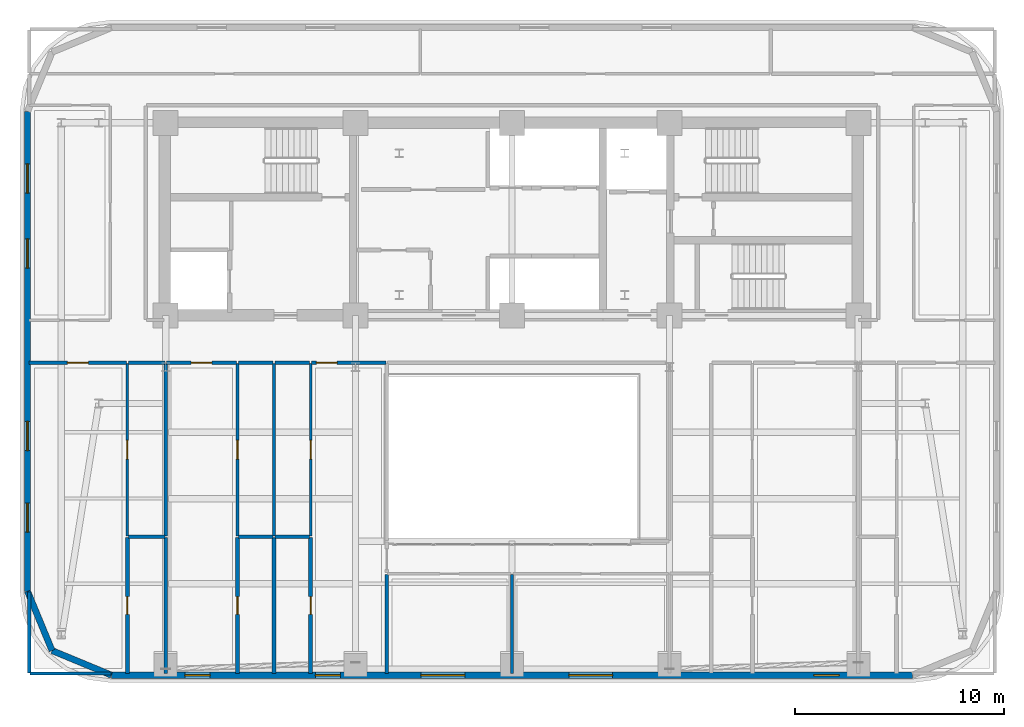
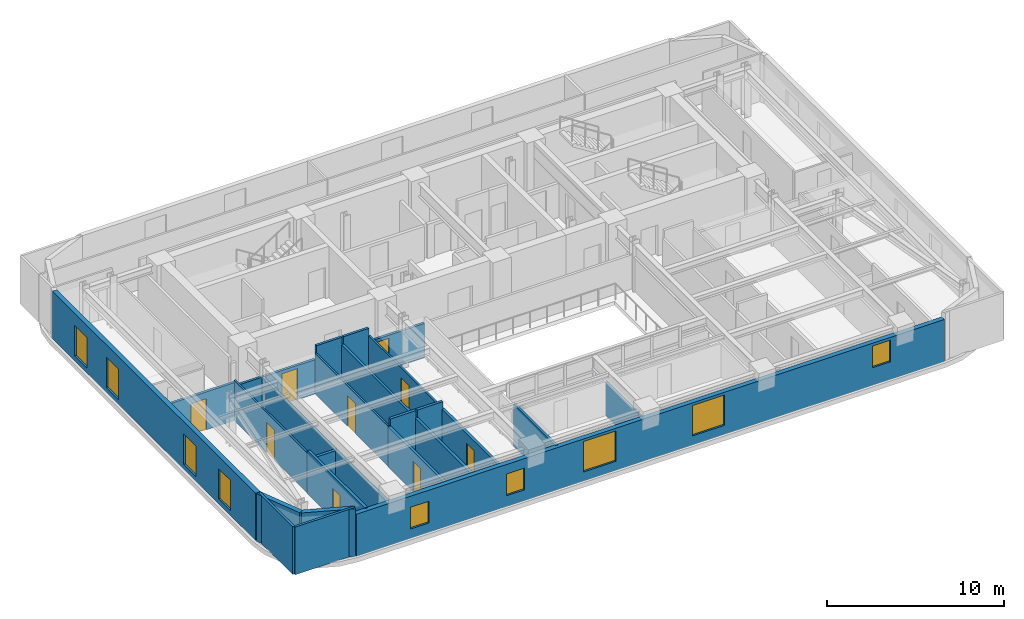
# One storey, part 5 of 12: 27 walls, 9 doors, 9 windows, 18 openings.
"""IFC4 building model written with IfcOpenShell, lengths in metres."""

import ifcopenshell
import ifcopenshell.guid

model = None  # the IFC model being written
_history = None  # IfcOwnerHistory: only IFC2X3 demands one
_inside = {}  # id of a spatial element -> (the spatial element, [elements in it])
_under = {}  # id of a project, library or spatial element -> (it, [spatial elements below it])
_declared = {}  # id of a project -> (the project, [libraries it declares])
_typed = {}  # id of a type object -> (the type object, [elements of that type])
_made_of = {}  # id of a material, layer set ... -> (it, [elements and type objects made of it])


def new_model(schema):
    """Start an empty IFC model of exactly this schema.

    Asked for "IFC4X3", IfcOpenShell would pick the latest addendum, in which some entities
    have other attributes; the version numbers below select the first issue.
    IFC2X3 requires an IfcOwnerHistory on every rooted entity: one is made here for all.
    """
    global model, _history
    if schema == "IFC4X3":
        model = ifcopenshell.file(schema_version=(4, 3, 0, 0))
    else:
        model = ifcopenshell.file(schema=schema)
    _inside.clear()
    _under.clear()
    _declared.clear()
    _typed.clear()
    _made_of.clear()
    _history = None
    if model.schema == "IFC2X3":
        org = make("IfcOrganization", Name="unknown")
        user = make(
            "IfcPersonAndOrganization",
            ThePerson=make("IfcPerson", FamilyName="unknown"),
            TheOrganization=org,
        )
        app = make(
            "IfcApplication",
            ApplicationDeveloper=org,
            Version="unknown",
            ApplicationFullName="unknown",
            ApplicationIdentifier="unknown",
        )
        _history = make(
            "IfcOwnerHistory",
            OwningUser=user,
            OwningApplication=app,
            ChangeAction="ADDED",
            CreationDate=0,
        )
    return model


def make(cls, **values):
    """One entity of the class cls with the attributes given. An attribute that is None is left unset."""
    return model.create_entity(
        cls, **{name: value for name, value in values.items() if value is not None}
    )


def rooted(cls, **values):
    """An entity with a GlobalId (a new one), such as an element, a storey or a relation."""
    return make(cls, GlobalId=ifcopenshell.guid.new(), OwnerHistory=_history, **values)


def si_unit(unit_type, name, prefix=None):
    """IfcSIUnit, for example si_unit("LENGTHUNIT", "METRE", prefix="MILLI")."""
    return make("IfcSIUnit", UnitType=unit_type, Prefix=prefix, Name=name)


def assignment(units):
    """IfcUnitAssignment: the units of a project."""
    return None if units is None else make("IfcUnitAssignment", Units=units)


def point(xyz):
    """IfcCartesianPoint."""
    return None if xyz is None else make("IfcCartesianPoint", Coordinates=xyz)


def direction(xyz):
    """IfcDirection."""
    return None if xyz is None else make("IfcDirection", DirectionRatios=xyz)


def frame(location, z_axis=None, x_axis=None):
    """IfcAxis2Placement3D, a coordinate frame: its origin and axes. An axis left out is left unset."""
    return make(
        "IfcAxis2Placement3D",
        Location=point(location),
        Axis=direction(z_axis),
        RefDirection=direction(x_axis),
    )


def frame_2d(location, x_axis=None):
    """IfcAxis2Placement2D, a coordinate frame in the plane: its origin and x axis."""
    return make(
        "IfcAxis2Placement2D", Location=point(location), RefDirection=direction(x_axis)
    )


def origin():
    """The frame at (0, 0, 0) with its axes left unset."""
    return frame((0.0, 0.0, 0.0))


def place(relative_to, where):
    """IfcLocalPlacement: puts the frame where relative to a parent placement (None: the world)."""
    return make(
        "IfcLocalPlacement", PlacementRelTo=relative_to, RelativePlacement=where
    )


def context(
    kind, dimensions, precision=None, world=None, true_north=None, identifier=None
):
    """IfcGeometricRepresentationContext, for example the 3D "Model" context."""
    return make(
        "IfcGeometricRepresentationContext",
        ContextIdentifier=identifier,
        ContextType=kind,
        CoordinateSpaceDimension=dimensions,
        Precision=precision,
        WorldCoordinateSystem=world,
        TrueNorth=true_north,
    )


def subcontext(parent, identifier, kind, view, scale=None):
    """IfcGeometricRepresentationSubContext, for example "Body" below "Model"."""
    return make(
        "IfcGeometricRepresentationSubContext",
        ContextIdentifier=identifier,
        ContextType=kind,
        ParentContext=parent,
        TargetScale=scale,
        TargetView=view,
    )


def project(units=None, contexts=None):
    """IfcProject with its units and contexts."""
    return rooted(
        "IfcProject",
        Name="project",
        RepresentationContexts=contexts,
        UnitsInContext=assignment(units),
    )


def spatial(cls, under=None, at=None, **own):
    """A site, building, storey or space (cls), placed at a placement, below another one or the project."""
    s = rooted(cls, ObjectPlacement=at, **own)
    if under is not None:
        _under.setdefault(under.id(), (under, []))[1].append(s)
    return s


def profile(cls, at=None, kind="AREA", **sizes):
    """A parametric profile (cls). Its sizes go by their IFC names, for example OverallWidth=200.0."""
    return make(cls, ProfileType=kind, Position=at, **sizes)


def rectangle(**sizes):
    """IfcRectangleProfileDef."""
    return profile("IfcRectangleProfileDef", **sizes)


def extrude(swept, where, along, depth):
    """IfcExtrudedAreaSolid: the profile swept, set in the frame where, extruded along a direction by depth."""
    return make(
        "IfcExtrudedAreaSolid",
        SweptArea=swept,
        Position=where,
        ExtrudedDirection=direction(along),
        Depth=depth,
    )


def shape(context_of_items, identifier, shape_type, items):
    """IfcShapeRepresentation: the items that make up one representation, for example the "Body"."""
    return make(
        "IfcShapeRepresentation",
        ContextOfItems=context_of_items,
        RepresentationIdentifier=identifier,
        RepresentationType=shape_type,
        Items=items,
    )


def material(Name=None, Category=None):
    """IfcMaterial."""
    return make("IfcMaterial", Name=Name, Category=Category)


def layer(
    of_material, thickness, ventilated=None, Name=None, Category=None, Priority=None
):
    """IfcMaterialLayer: one layer of a wall or slab, of a material (None: an air gap)."""
    return make(
        "IfcMaterialLayer",
        Material=of_material,
        LayerThickness=thickness,
        IsVentilated=ventilated,
        Name=Name,
        Category=Category,
        Priority=Priority,
    )


def layer_set(layers, Name=None):
    """IfcMaterialLayerSet."""
    return make("IfcMaterialLayerSet", MaterialLayers=layers, LayerSetName=Name)


def made_of(thing, what):
    """Note that an element or type object is made of a material, layer set ...; save() writes the relation."""
    if what is not None:
        _made_of.setdefault(what.id(), (what, []))[1].append(thing)
    return thing


def type_object(cls, material=None, **own):
    """A type object (cls), such as IfcWallType, which elements share."""
    return made_of(rooted(cls, **own), material)


def element(
    cls,
    number,
    at=None,
    inside=None,
    cuts=None,
    type_object=None,
    material=None,
    context=None,
    identifier="Body",
    shape_type=None,
    held_by="IfcProductDefinitionShape",
    body=None,
    shapes=None,
    **own,
):
    """One element of the class cls, such as IfcWall. Its Tag is "e" and its number.

    at: its placement. inside: the storey or other place that contains it. cuts: it is an
    opening in that element (IfcRelVoidsElement). A single representation is given by context,
    identifier, shape_type and body (its items); several are given by shapes. held_by: the class
    of the entity that holds the representations. save() writes the other relations.
    """
    e = rooted(cls, Tag="e%d" % number, ObjectPlacement=at, **own)
    if body is not None:
        shapes = [shape(context, identifier, shape_type, body)]
    if shapes is not None:
        e.Representation = make(held_by, Representations=shapes)
    if inside is not None:
        _inside.setdefault(inside.id(), (inside, []))[1].append(e)
    if cuts is not None:
        rooted(
            "IfcRelVoidsElement", RelatingBuildingElement=cuts, RelatedOpeningElement=e
        )
    if type_object is not None:
        _typed.setdefault(type_object.id(), (type_object, []))[1].append(e)
    return made_of(e, material)


def fill(opening, filler):
    """IfcRelFillsElement: the door or window that sits in an opening."""
    return rooted(
        "IfcRelFillsElement",
        RelatingOpeningElement=opening,
        RelatedBuildingElement=filler,
    )


def aggregate(whole, parts):
    """IfcRelAggregates: a whole, such as a stair, and the parts it consists of."""
    return rooted("IfcRelAggregates", RelatingObject=whole, RelatedObjects=parts)


def save(model, path):
    """Write the relations noted so far, then the file.

    IfcRelAggregates (storeys below a building ...), IfcRelContainedInSpatialStructure (elements
    in a storey), IfcRelDefinesByType, IfcRelAssociatesMaterial and IfcRelDeclares: one each for
    every whole, place, type object, material and project.
    """
    for whole, parts in _under.values():
        aggregate(whole, parts)
    for where, things in _inside.values():
        rooted(
            "IfcRelContainedInSpatialStructure",
            RelatedElements=things,
            RelatingStructure=where,
        )
    for kind, things in _typed.values():
        rooted("IfcRelDefinesByType", RelatedObjects=things, RelatingType=kind)
    for what, things in _made_of.values():
        rooted("IfcRelAssociatesMaterial", RelatedObjects=things, RelatingMaterial=what)
    for by, libraries in _declared.values():
        rooted("IfcRelDeclares", RelatingContext=by, RelatedDefinitions=libraries)
    model.write(path)


model = new_model("IFC4")

# Units and contexts
model_context = context("Model", 3, precision=1e-05, world=origin(), true_north=direction((0.0, 1.0)))
body_context = subcontext(model_context, "Body", "Model", "MODEL_VIEW")
ifc_project = project(units=[si_unit("LENGTHUNIT", "METRE"), si_unit("AREAUNIT", "SQUARE_METRE"), si_unit("VOLUMEUNIT", "CUBIC_METRE"), si_unit("PLANEANGLEUNIT", "RADIAN"), si_unit("MASSUNIT", "GRAM", prefix="KILO")], contexts=[model_context])

# Site, building, storey
site_placement = place(None, origin())
site = spatial("IfcSite", under=ifc_project, at=site_placement, CompositionType="ELEMENT")
building_placement = place(site_placement, origin())
building = spatial("IfcBuilding", under=site, at=building_placement, Name="Zarnavel Station Tower", CompositionType="ELEMENT")
storey_placement = place(building_placement, frame((0.0, 0.0, 166.10009765625)))
storey = spatial("IfcBuildingStorey", under=building, at=storey_placement, Name="L45", CompositionType="ELEMENT", Elevation=166.10009765625)

# Wall, openings, windows
ifc_material_1 = material(Name="Precast concrete C45/55 (Dark Basalt Finish)", Category="masonry")
ifc_layer_1 = layer(ifc_material_1, 0.300048828125)
ifc_layer_set_1 = layer_set([ifc_layer_1], Name="EW_BASALT_300")
wall_type_1 = type_object("IfcWallType", Name="EW_BASALT_300", PredefinedType="SOLIDWALL", material=ifc_layer_set_1)
wall_1_placement = place(storey_placement, frame((5.580078125, 14.60009765625, 0.0), z_axis=(0.0, 0.0, 1.0), x_axis=(0.0, 1.0, 0.0)))
wall_1 = element("IfcWall", 1, at=wall_1_placement, inside=storey, type_object=wall_type_1, Name="L45 Exterior Basalt Masonry Frame Wall 09", PredefinedType="SOLIDWALL", context=body_context, shape_type="SweptSolid", body=[
    extrude(rectangle(XDim=23.0, YDim=0.300048828125, at=frame_2d((11.5, 0.0))), origin(), (0.0, 0.0, 1.0), 3.289794921875),
])
opening_1_placement = place(wall_1_placement, frame((15.493408203125, 0.0, 0.340087890625)))
opening_1 = element("IfcOpeningElement", 2, at=opening_1_placement, cuts=wall_1, Name="Opening WN04", PredefinedType="OPENING", context=body_context, shape_type="SweptSolid", body=[
    extrude(rectangle(XDim=1.39990234375, YDim=2.10009765625, at=frame_2d((0.699951171875, 1.050048828125))), frame((0.0, 0.159912109375, 0.0), z_axis=(0.0, -1.0, 0.0), x_axis=(1.0, 0.0, 0.0)), (0.0, 0.0, 1.0), 0.320068359375),
])
opening_2_placement = place(wall_1_placement, frame((19.086669921875, 0.0, 0.340087890625)))
opening_2 = element("IfcOpeningElement", 3, at=opening_2_placement, cuts=wall_1, Name="Opening WN04", PredefinedType="OPENING", context=body_context, shape_type="SweptSolid", body=[
    extrude(rectangle(XDim=1.39990234375, YDim=2.10009765625, at=frame_2d((0.699951171875, 1.050048828125))), frame((0.0, 0.159912109375, 0.0), z_axis=(0.0, -1.0, 0.0), x_axis=(1.0, 0.0, 0.0)), (0.0, 0.0, 1.0), 0.320068359375),
])
opening_3_placement = place(wall_1_placement, frame((2.830078125, 0.0, 0.340087890625)))
opening_3 = element("IfcOpeningElement", 4, at=opening_3_placement, cuts=wall_1, Name="Opening WN04", PredefinedType="OPENING", context=body_context, shape_type="SweptSolid", body=[
    extrude(rectangle(XDim=1.39990234375, YDim=2.10009765625, at=frame_2d((0.699951171875, 1.050048828125))), frame((0.0, 0.159912109375, 0.0), z_axis=(0.0, -1.0, 0.0), x_axis=(1.0, 0.0, 0.0)), (0.0, 0.0, 1.0), 0.320068359375),
])
opening_4_placement = place(wall_1_placement, frame((6.739990234375, 0.0, 0.340087890625)))
opening_4 = element("IfcOpeningElement", 5, at=opening_4_placement, cuts=wall_1, Name="Opening WN04", PredefinedType="OPENING", context=body_context, shape_type="SweptSolid", body=[
    extrude(rectangle(XDim=1.39990234375, YDim=2.10009765625, at=frame_2d((0.699951171875, 1.050048828125))), frame((0.0, 0.159912109375, 0.0), z_axis=(0.0, -1.0, 0.0), x_axis=(1.0, 0.0, 0.0)), (0.0, 0.0, 1.0), 0.320068359375),
])
ifc_material_2 = material(Name="Thermally Broken Black Aluminium and Low-E Dark Glass", Category="aluminium")
window_type_1 = type_object("IfcWindowType", Name="WN_1400x2100", PartitioningType="DOUBLE_PANEL_VERTICAL", PredefinedType="WINDOW", material=ifc_material_2)
window_1_placement = place(opening_1_placement, origin())
window_1 = element("IfcWindow", 6, at=window_1_placement, inside=storey, type_object=window_type_1, Name="L45 Recessed Facade Window 01", OverallHeight=2.10009765625, OverallWidth=1.39990234375, PartitioningType="SINGLE_PANEL", PredefinedType="WINDOW", context=body_context, shape_type="SweptSolid", body=[
    extrude(rectangle(XDim=1.39990234375, YDim=2.10009765625, at=frame_2d((0.699951171875, 1.050048828125))), frame((0.0, 0.030029296875, 0.0), z_axis=(0.0, -1.0, 0.0), x_axis=(1.0, 0.0, 0.0)), (0.0, 0.0, 1.0), 0.06005859375),
])
fill(opening_1, window_1)
window_2_placement = place(opening_2_placement, origin())
window_2 = element("IfcWindow", 7, at=window_2_placement, inside=storey, type_object=window_type_1, Name="L45 Recessed Facade Window 02", OverallHeight=2.10009765625, OverallWidth=1.39990234375, PartitioningType="SINGLE_PANEL", PredefinedType="WINDOW", context=body_context, shape_type="SweptSolid", body=[
    extrude(rectangle(XDim=1.39990234375, YDim=2.10009765625, at=frame_2d((0.699951171875, 1.050048828125))), frame((0.0, 0.030029296875, 0.0), z_axis=(0.0, -1.0, 0.0), x_axis=(1.0, 0.0, 0.0)), (0.0, 0.0, 1.0), 0.06005859375),
])
fill(opening_2, window_2)
window_3_placement = place(opening_3_placement, origin())
window_3 = element("IfcWindow", 8, at=window_3_placement, inside=storey, type_object=window_type_1, Name="L45 Recessed Facade Window 03", OverallHeight=2.10009765625, OverallWidth=1.39990234375, PartitioningType="SINGLE_PANEL", PredefinedType="WINDOW", context=body_context, shape_type="SweptSolid", body=[
    extrude(rectangle(XDim=1.39990234375, YDim=2.10009765625, at=frame_2d((0.699951171875, 1.050048828125))), frame((0.0, 0.030029296875, 0.0), z_axis=(0.0, -1.0, 0.0), x_axis=(1.0, 0.0, 0.0)), (0.0, 0.0, 1.0), 0.06005859375),
])
fill(opening_3, window_3)
window_4_placement = place(opening_4_placement, origin())
window_4 = element("IfcWindow", 9, at=window_4_placement, inside=storey, type_object=window_type_1, Name="L45 Recessed Facade Window 04", OverallHeight=2.10009765625, OverallWidth=1.39990234375, PartitioningType="SINGLE_PANEL", PredefinedType="WINDOW", context=body_context, shape_type="SweptSolid", body=[
    extrude(rectangle(XDim=1.39990234375, YDim=2.10009765625, at=frame_2d((0.699951171875, 1.050048828125))), frame((0.0, 0.030029296875, 0.0), z_axis=(0.0, -1.0, 0.0), x_axis=(1.0, 0.0, 0.0)), (0.0, 0.0, 1.0), 0.06005859375),
])
fill(opening_4, window_4)

# Walls
for number, where, z_axis, x_axis, name in (
    (10, (6.75732421875, 11.75732421875, 0.0), (0.0, 0.0, 1.0), (-0.382608747773, 0.923910464346, 0.0), "L45 Exterior Basalt Masonry Frame Wall 10"),
    (11, (9.60009765625, 10.580078125, 0.0), (0.0, 0.0, 1.0), (-0.923910464346, 0.382608747773, 0.0), "L45 Exterior Basalt Masonry Frame Wall 11"),
):
    element("IfcWall", number, at=place(storey_placement, frame(where, z_axis=z_axis, x_axis=x_axis)), inside=storey, type_object=wall_type_1, Name=name, PredefinedType="SOLIDWALL", context=body_context, shape_type="SweptSolid", body=[
        extrude(rectangle(XDim=3.076904296875, YDim=0.300048828125, at=frame_2d((1.53857421875, 0.0))), origin(), (0.0, 0.0, 1.0), 3.289794921875),
    ])

# Wall, openings, windows
wall_2_placement = place(storey_placement, frame((48.0, 10.580078125, 0.0), z_axis=(0.0, 0.0, 1.0), x_axis=(-1.0, 0.0, 0.0)))
wall_2 = element("IfcWall", 12, at=wall_2_placement, inside=storey, type_object=wall_type_1, Name="L45 Exterior Basalt Masonry Frame Wall 12", PredefinedType="SOLIDWALL", context=body_context, shape_type="SweptSolid", body=[
    extrude(rectangle(XDim=38.39990234375, YDim=0.300048828125, at=frame_2d((19.199951171875, 0.0))), origin(), (0.0, 0.0, 1.0), 2.909912109375),
])
opening_5_placement = place(wall_2_placement, frame((33.67333984375, 0.0, 0.64990234375)))
opening_5 = element("IfcOpeningElement", 13, at=opening_5_placement, cuts=wall_2, Name="Opening WN08", PredefinedType="OPENING", context=body_context, shape_type="SweptSolid", body=[
    extrude(rectangle(XDim=1.199951171875, YDim=1.5, at=frame_2d((0.60009765625, 0.75))), frame((0.0, 0.159912109375, 0.0), z_axis=(0.0, -1.0, 0.0), x_axis=(1.0, 0.0, 0.0)), (0.0, 0.0, 1.0), 0.320068359375),
])
opening_6_placement = place(wall_2_placement, frame((21.46337890625, 0.0, 0.6298828125)))
opening_6 = element("IfcOpeningElement", 14, at=opening_6_placement, cuts=wall_2, Name="Opening WN05", PredefinedType="OPENING", context=body_context, shape_type="SweptSolid", body=[
    extrude(rectangle(XDim=2.10009765625, YDim=2.10009765625, at=frame_2d((1.050048828125, 1.050048828125))), frame((0.0, 0.159912109375, 0.0), z_axis=(0.0, -1.0, 0.0), x_axis=(1.0, 0.0, 0.0)), (0.0, 0.0, 1.0), 0.320068359375),
])
opening_7_placement = place(wall_2_placement, frame((14.375, 0.0, 0.6298828125)))
opening_7 = element("IfcOpeningElement", 15, at=opening_7_placement, cuts=wall_2, Name="Opening WN05", PredefinedType="OPENING", context=body_context, shape_type="SweptSolid", body=[
    extrude(rectangle(XDim=2.10009765625, YDim=2.10009765625, at=frame_2d((1.050048828125, 1.050048828125))), frame((0.0, 0.159912109375, 0.0), z_axis=(0.0, -1.0, 0.0), x_axis=(1.0, 0.0, 0.0)), (0.0, 0.0, 1.0), 0.320068359375),
])
opening_8_placement = place(wall_2_placement, frame((3.526611328125, 0.0, 1.219970703125)))
opening_8 = element("IfcOpeningElement", 16, at=opening_8_placement, cuts=wall_2, Name="Opening WN08", PredefinedType="OPENING", context=body_context, shape_type="SweptSolid", body=[
    extrude(rectangle(XDim=1.199951171875, YDim=1.5, at=frame_2d((0.60009765625, 0.75))), frame((0.0, 0.159912109375, 0.0), z_axis=(0.0, -1.0, 0.0), x_axis=(1.0, 0.0, 0.0)), (0.0, 0.0, 1.0), 0.320068359375),
])
opening_9_placement = place(wall_2_placement, frame((27.419921875, 0.0, 0.75)))
opening_9 = element("IfcOpeningElement", 17, at=opening_9_placement, cuts=wall_2, Name="Opening WN08", PredefinedType="OPENING", context=body_context, shape_type="SweptSolid", body=[
    extrude(rectangle(XDim=1.199951171875, YDim=1.5, at=frame_2d((0.60009765625, 0.75))), frame((0.0, 0.159912109375, 0.0), z_axis=(0.0, -1.0, 0.0), x_axis=(1.0, 0.0, 0.0)), (0.0, 0.0, 1.0), 0.320068359375),
])
ifc_material_3 = material(Name="Thermally Broken Black Aluminium and Low-E Dark Glass", Category="aluminium")
window_type_2 = type_object("IfcWindowType", Name="WN_1200x1500", PartitioningType="SINGLE_PANEL", PredefinedType="WINDOW", material=ifc_material_3)
window_5_placement = place(opening_5_placement, origin())
window_5 = element("IfcWindow", 18, at=window_5_placement, inside=storey, type_object=window_type_2, Name="L45 Recessed Facade Window 01", OverallHeight=1.5, OverallWidth=1.199951171875, PartitioningType="SINGLE_PANEL", PredefinedType="WINDOW", context=body_context, shape_type="SweptSolid", body=[
    extrude(rectangle(XDim=1.199951171875, YDim=1.5, at=frame_2d((0.60009765625, 0.75))), frame((0.0, 0.030029296875, 0.0), z_axis=(0.0, -1.0, 0.0), x_axis=(1.0, 0.0, 0.0)), (0.0, 0.0, 1.0), 0.06005859375),
])
fill(opening_5, window_5)
window_6_placement = place(opening_8_placement, origin())
window_6 = element("IfcWindow", 19, at=window_6_placement, inside=storey, type_object=window_type_2, Name="L45 Recessed Facade Window 04", OverallHeight=1.5, OverallWidth=1.199951171875, PartitioningType="SINGLE_PANEL", PredefinedType="WINDOW", context=body_context, shape_type="SweptSolid", body=[
    extrude(rectangle(XDim=1.199951171875, YDim=1.5, at=frame_2d((0.60009765625, 0.75))), frame((0.0, 0.030029296875, 0.0), z_axis=(0.0, -1.0, 0.0), x_axis=(1.0, 0.0, 0.0)), (0.0, 0.0, 1.0), 0.06005859375),
])
fill(opening_8, window_6)
window_7_placement = place(opening_9_placement, origin())
window_7 = element("IfcWindow", 20, at=window_7_placement, inside=storey, type_object=window_type_2, Name="L45 South Guestroom Window HW3R", OverallHeight=1.5, OverallWidth=1.199951171875, PartitioningType="SINGLE_PANEL", PredefinedType="WINDOW", context=body_context, shape_type="SweptSolid", body=[
    extrude(rectangle(XDim=1.199951171875, YDim=1.5, at=frame_2d((0.60009765625, 0.75))), frame((0.0, 0.030029296875, 0.0), z_axis=(0.0, -1.0, 0.0), x_axis=(1.0, 0.0, 0.0)), (0.0, 0.0, 1.0), 0.06005859375),
])
fill(opening_9, window_7)
ifc_material_4 = material(Name="Thermally Broken Black Aluminium and Low-E Dark Glass", Category="aluminium")
window_type_3 = type_object("IfcWindowType", Name="WN_2100x2100", PartitioningType="TRIPLE_PANEL_VERTICAL", PredefinedType="WINDOW", material=ifc_material_4)
window_8_placement = place(opening_6_placement, origin())
window_8 = element("IfcWindow", 21, at=window_8_placement, inside=storey, type_object=window_type_3, Name="L45 Recessed Facade Window 02", OverallHeight=2.10009765625, OverallWidth=2.10009765625, PartitioningType="SINGLE_PANEL", PredefinedType="WINDOW", context=body_context, shape_type="SweptSolid", body=[
    extrude(rectangle(XDim=2.10009765625, YDim=2.10009765625, at=frame_2d((1.050048828125, 1.050048828125))), frame((0.0, 0.030029296875, 0.0), z_axis=(0.0, -1.0, 0.0), x_axis=(1.0, 0.0, 0.0)), (0.0, 0.0, 1.0), 0.06005859375),
])
fill(opening_6, window_8)
window_9_placement = place(opening_7_placement, origin())
window_9 = element("IfcWindow", 22, at=window_9_placement, inside=storey, type_object=window_type_3, Name="L45 Recessed Facade Window 03", OverallHeight=2.10009765625, OverallWidth=2.10009765625, PartitioningType="SINGLE_PANEL", PredefinedType="WINDOW", context=body_context, shape_type="SweptSolid", body=[
    extrude(rectangle(XDim=2.10009765625, YDim=2.10009765625, at=frame_2d((1.050048828125, 1.050048828125))), frame((0.0, 0.030029296875, 0.0), z_axis=(0.0, -1.0, 0.0), x_axis=(1.0, 0.0, 0.0)), (0.0, 0.0, 1.0), 0.06005859375),
])
fill(opening_7, window_9)

# Wall, opening, door
ifc_material_5 = material(Name="Gypsum Twin-Stud Acoustic Fire Partition", Category="concrete")
ifc_layer_2 = layer(ifc_material_5, 0.159912109375)
ifc_layer_set_2 = layer_set([ifc_layer_2], Name="PT_DEMISE_160")
wall_type_2 = type_object("IfcWallType", Name="PT_DEMISE_160", PredefinedType="PARTITIONING", material=ifc_layer_set_2)
wall_3_placement = place(storey_placement, frame((5.659912109375, 25.550048828125, 0.0), z_axis=(0.0, 0.0, 1.0), x_axis=(1.0, 0.0, 0.0)))
wall_3 = element("IfcWall", 23, at=wall_3_placement, inside=storey, type_object=wall_type_2, Name="L45 Partition COR-S-HW1R", PredefinedType="PARTITIONING", context=body_context, shape_type="SweptSolid", body=[
    extrude(rectangle(XDim=4.669189453125, YDim=0.159912109375, at=frame_2d((2.33447265625, 0.0))), origin(), (0.0, 0.0, 1.0), 2.619873046875),
])
opening_10_placement = place(wall_3_placement, frame((1.83447265625, 0.0, 0.0)))
opening_10 = element("IfcOpeningElement", 24, at=opening_10_placement, cuts=wall_3, Name="Opening FD02", PredefinedType="OPENING", context=body_context, shape_type="SweptSolid", body=[
    extrude(rectangle(XDim=1.0, YDim=2.14990234375, at=frame_2d((0.5, 1.074951171875))), frame((0.0, 0.08984375, 0.0), z_axis=(0.0, -1.0, 0.0), x_axis=(1.0, 0.0, 0.0)), (0.0, 0.0, 1.0), 0.179931640625),
])
ifc_material_6 = material(Name="Painted Galvanised Steel and Hardwood Leaf", Category="steel")
door_type_1 = type_object("IfcDoorType", Name="ID_ENTRY_1000", OperationType="NOTDEFINED", PredefinedType="DOOR", material=ifc_material_6)
door_1_placement = place(opening_10_placement, origin())
door_1 = element("IfcDoor", 25, at=door_1_placement, inside=storey, type_object=door_type_1, Name="L45 Door COR-S-HW1R", OperationType="SINGLE_SWING_LEFT", OverallHeight=2.14990234375, OverallWidth=1.0, PredefinedType="DOOR", context=body_context, shape_type="SweptSolid", body=[
    extrude(rectangle(XDim=1.0, YDim=2.14990234375, at=frame_2d((0.5, 1.074951171875))), frame((0.0, 0.02490234375, 0.0), z_axis=(0.0, -1.0, 0.0), x_axis=(1.0, 0.0, 0.0)), (0.0, 0.0, 1.0), 0.050048828125),
])
fill(opening_10, door_1)

# Wall
wall_4_placement = place(storey_placement, frame((10.408935546875, 25.550048828125, 0.0), z_axis=(0.0, 0.0, 1.0), x_axis=(1.0, 0.0, 0.0)))
element("IfcWall", 26, at=wall_4_placement, inside=storey, type_object=wall_type_2, Name="L45 Partition COR-S-HW1S", PredefinedType="PARTITIONING", context=body_context, shape_type="SweptSolid", body=[
    extrude(rectangle(XDim=1.7509765625, YDim=0.159912109375, at=frame_2d((0.87548828125, 0.0))), origin(), (0.0, 0.0, 1.0), 2.35986328125),
])

# Wall, opening, door
wall_5_placement = place(storey_placement, frame((12.239990234375, 25.550048828125, 0.0), z_axis=(0.0, 0.0, 1.0), x_axis=(1.0, 0.0, 0.0)))
wall_5 = element("IfcWall", 27, at=wall_5_placement, inside=storey, type_object=wall_type_2, Name="L45 Partition COR-S-HW2R", PredefinedType="PARTITIONING", context=body_context, shape_type="SweptSolid", body=[
    extrude(rectangle(XDim=3.364013671875, YDim=0.159912109375, at=frame_2d((1.68212890625, 0.0))), origin(), (0.0, 0.0, 1.0), 2.35986328125),
])
opening_11_placement = place(wall_5_placement, frame((1.181884765625, 0.0, 0.0)))
opening_11 = element("IfcOpeningElement", 28, at=opening_11_placement, cuts=wall_5, Name="Opening FD02", PredefinedType="OPENING", context=body_context, shape_type="SweptSolid", body=[
    extrude(rectangle(XDim=1.0, YDim=2.14990234375, at=frame_2d((0.5, 1.074951171875))), frame((0.0, 0.08984375, 0.0), z_axis=(0.0, -1.0, 0.0), x_axis=(1.0, 0.0, 0.0)), (0.0, 0.0, 1.0), 0.179931640625),
])
door_2_placement = place(opening_11_placement, origin())
door_2 = element("IfcDoor", 29, at=door_2_placement, inside=storey, type_object=door_type_1, Name="L45 Door COR-S-HW2R", OperationType="SINGLE_SWING_RIGHT", OverallHeight=2.14990234375, OverallWidth=1.0, PredefinedType="DOOR", context=body_context, shape_type="SweptSolid", body=[
    extrude(rectangle(XDim=1.0, YDim=2.14990234375, at=frame_2d((0.5, 1.074951171875))), frame((0.0, 0.02490234375, 0.0), z_axis=(0.0, -1.0, 0.0), x_axis=(1.0, 0.0, 0.0)), (0.0, 0.0, 1.0), 0.050048828125),
])
fill(opening_11, door_2)

# Wall
wall_6_placement = place(storey_placement, frame((15.68408203125, 25.550048828125, 0.0), z_axis=(0.0, 0.0, 1.0), x_axis=(1.0, 0.0, 0.0)))
element("IfcWall", 30, at=wall_6_placement, inside=storey, type_object=wall_type_2, Name="L45 Partition COR-S-HW2S", PredefinedType="PARTITIONING", context=body_context, shape_type="SweptSolid", body=[
    extrude(rectangle(XDim=1.669921875, YDim=0.159912109375, at=frame_2d((0.8349609375, 0.0))), origin(), (0.0, 0.0, 1.0), 3.289794921875),
])

# Wall, opening, door
wall_7_placement = place(storey_placement, frame((19.18408203125, 25.550048828125, 0.0), z_axis=(0.0, 0.0, 1.0), x_axis=(1.0, 0.0, 0.0)))
wall_7 = element("IfcWall", 31, at=wall_7_placement, inside=storey, type_object=wall_type_2, Name="L45 Partition COR-S-HW3R", PredefinedType="PARTITIONING", context=body_context, shape_type="SweptSolid", body=[
    extrude(rectangle(XDim=3.575927734375, YDim=0.159912109375, at=frame_2d((1.7880859375, 0.0))), origin(), (0.0, 0.0, 1.0), 2.35986328125),
])
opening_12_placement = place(wall_7_placement, frame((0.235595703125, 0.0, 0.0)))
opening_12 = element("IfcOpeningElement", 32, at=opening_12_placement, cuts=wall_7, Name="Opening FD02", PredefinedType="OPENING", context=body_context, shape_type="SweptSolid", body=[
    extrude(rectangle(XDim=1.0, YDim=2.14990234375, at=frame_2d((0.5, 1.074951171875))), frame((0.0, 0.08984375, 0.0), z_axis=(0.0, -1.0, 0.0), x_axis=(1.0, 0.0, 0.0)), (0.0, 0.0, 1.0), 0.179931640625),
])
door_3_placement = place(opening_12_placement, origin())
door_3 = element("IfcDoor", 33, at=door_3_placement, inside=storey, type_object=door_type_1, Name="L45 Door COR-S-HW3R", OperationType="SINGLE_SWING_LEFT", OverallHeight=2.14990234375, OverallWidth=1.0, PredefinedType="DOOR", context=body_context, shape_type="SweptSolid", body=[
    extrude(rectangle(XDim=1.0, YDim=2.14990234375, at=frame_2d((0.5, 1.074951171875))), frame((0.0, 0.02490234375, 0.0), z_axis=(0.0, -1.0, 0.0), x_axis=(1.0, 0.0, 0.0)), (0.0, 0.0, 1.0), 0.050048828125),
])
fill(opening_12, door_3)

# Walls
wall_8_placement = place(storey_placement, frame((17.43408203125, 25.550048828125, 0.0), z_axis=(0.0, 0.0, 1.0), x_axis=(1.0, 0.0, 0.0)))
element("IfcWall", 34, at=wall_8_placement, inside=storey, type_object=wall_type_2, Name="L45 Partition COR-S-HW3S", PredefinedType="PARTITIONING", context=body_context, shape_type="SweptSolid", body=[
    extrude(rectangle(XDim=1.669921875, YDim=0.159912109375, at=frame_2d((0.8349609375, 0.0))), origin(), (0.0, 0.0, 1.0), 3.289794921875),
])
wall_9_placement = place(storey_placement, frame((12.199951171875, 17.251953125, 0.0), z_axis=(0.0, 0.0, 1.0), x_axis=(0.0, 1.0, 0.0)))
element("IfcWall", 35, at=wall_9_placement, inside=storey, type_object=wall_type_2, Name="L45 Partition HW1S-HW2R", PredefinedType="PARTITIONING", context=body_context, shape_type="SweptSolid", body=[
    extrude(rectangle(XDim=8.258056640625, YDim=0.159912109375, at=frame_2d((4.12890625, 0.0))), origin(), (0.0, 0.0, 1.0), 2.35986328125),
])
wall_10_placement = place(storey_placement, frame((17.39404296875, 17.251953125, 0.0), z_axis=(0.0, 0.0, 1.0), x_axis=(0.0, 1.0, 0.0)))
element("IfcWall", 36, at=wall_10_placement, inside=storey, type_object=wall_type_2, Name="L45 Partition HW2S-HW3S", PredefinedType="PARTITIONING", context=body_context, shape_type="SweptSolid", body=[
    extrude(rectangle(XDim=8.258056640625, YDim=0.159912109375, at=frame_2d((4.12890625, 0.0))), origin(), (0.0, 0.0, 1.0), 2.77978515625),
])
wall_11_placement = place(storey_placement, frame((22.800048828125, 10.659912109375, 0.0), z_axis=(0.0, 0.0, 1.0), x_axis=(0.0, 1.0, 0.0)))
element("IfcWall", 37, at=wall_11_placement, inside=storey, type_object=wall_type_2, Name="L45 Partition HW3R-L45BAR", PredefinedType="PARTITIONING", context=body_context, shape_type="SweptSolid", body=[
    extrude(rectangle(XDim=4.75, YDim=0.159912109375, at=frame_2d((2.375, 0.0))), origin(), (0.0, 0.0, 1.0), 2.909912109375),
])
for number, where, z_axis, x_axis, name in (
    (38, (5.68994140625, 10.659912109375, 0.0), (0.0, 0.0, 1.0), (1.0, 0.0, 0.0), "L45 Enclosure Wall HW1R"),
    (39, (5.659912109375, 10.68994140625, 0.0), (0.0, 0.0, 1.0), (0.0, 1.0, 0.0), "L45 Enclosure Wall HW1R"),
):
    element("IfcWall", number, at=place(storey_placement, frame(where, z_axis=z_axis, x_axis=x_axis)), inside=storey, type_object=wall_type_2, Name=name, PredefinedType="PARTITIONING", context=body_context, shape_type="SweptSolid", body=[
        extrude(rectangle(XDim=3.880126953125, YDim=0.159912109375, at=frame_2d((1.93994140625, 0.0))), origin(), (0.0, 0.0, 1.0), 3.289794921875),
    ])

# Wall, opening, door
ifc_material_7 = material(Name="Gypsum Metal-Stud Interior Partition", Category="concrete")
ifc_layer_3 = layer(ifc_material_7, 0.1201171875)
ifc_layer_set_3 = layer_set([ifc_layer_3], Name="PT_ROOM_120")
wall_type_3 = type_object("IfcWallType", Name="PT_ROOM_120", PredefinedType="PARTITIONING", material=ifc_layer_set_3)
wall_12_placement = place(storey_placement, frame((10.368896484375, 17.251953125, 0.0), z_axis=(0.0, 0.0, 1.0), x_axis=(0.0, 1.0, 0.0)))
wall_12 = element("IfcWall", 40, at=wall_12_placement, inside=storey, type_object=wall_type_3, Name="L45 Partition HW1R-HW1S", PredefinedType="PARTITIONING", context=body_context, shape_type="SweptSolid", body=[
    extrude(rectangle(XDim=8.258056640625, YDim=0.1201171875, at=frame_2d((4.12890625, 0.0))), origin(), (0.0, 0.0, 1.0), 2.77001953125),
])
opening_13_placement = place(wall_12_placement, frame((3.678955078125, 0.0, 0.0)))
opening_13 = element("IfcOpeningElement", 41, at=opening_13_placement, cuts=wall_12, Name="Opening ID01", PredefinedType="OPENING", context=body_context, shape_type="SweptSolid", body=[
    extrude(rectangle(XDim=0.89990234375, YDim=2.10009765625, at=frame_2d((0.449951171875, 1.050048828125))), frame((0.0, 0.070068359375, 0.0), z_axis=(0.0, -1.0, 0.0), x_axis=(1.0, 0.0, 0.0)), (0.0, 0.0, 1.0), 0.14013671875),
])
ifc_material_8 = material(Name="Painted Galvanised Steel and Hardwood Leaf", Category="steel")
door_type_2 = type_object("IfcDoorType", Name="ID_ROOM_900", OperationType="NOTDEFINED", PredefinedType="DOOR", material=ifc_material_8)
door_4_placement = place(opening_13_placement, origin())
door_4 = element("IfcDoor", 42, at=door_4_placement, inside=storey, type_object=door_type_2, Name="L45 Door HW1R-HW1S", OperationType="SINGLE_SWING_LEFT", OverallHeight=2.10009765625, OverallWidth=0.89990234375, PredefinedType="DOOR", context=body_context, shape_type="SweptSolid", body=[
    extrude(rectangle(XDim=0.89990234375, YDim=2.10009765625, at=frame_2d((0.449951171875, 1.050048828125))), frame((0.0, 0.02490234375, 0.0), z_axis=(0.0, -1.0, 0.0), x_axis=(1.0, 0.0, 0.0)), (0.0, 0.0, 1.0), 0.050048828125),
])
fill(opening_13, door_4)

wall_13_placement = place(storey_placement, frame((15.64404296875, 17.251953125, 0.0), z_axis=(0.0, 0.0, 1.0), x_axis=(0.0, 1.0, 0.0)))
wall_13 = element("IfcWall", 43, at=wall_13_placement, inside=storey, type_object=wall_type_3, Name="L45 Partition HW2R-HW2S", PredefinedType="PARTITIONING", context=body_context, shape_type="SweptSolid", body=[
    extrude(rectangle(XDim=8.258056640625, YDim=0.1201171875, at=frame_2d((4.12890625, 0.0))), origin(), (0.0, 0.0, 1.0), 2.77978515625),
])
opening_14_placement = place(wall_13_placement, frame((3.678955078125, 0.0, 0.0)))
opening_14 = element("IfcOpeningElement", 44, at=opening_14_placement, cuts=wall_13, Name="Opening ID01", PredefinedType="OPENING", context=body_context, shape_type="SweptSolid", body=[
    extrude(rectangle(XDim=0.89990234375, YDim=2.10009765625, at=frame_2d((0.449951171875, 1.050048828125))), frame((0.0, 0.070068359375, 0.0), z_axis=(0.0, -1.0, 0.0), x_axis=(1.0, 0.0, 0.0)), (0.0, 0.0, 1.0), 0.14013671875),
])
door_5_placement = place(opening_14_placement, origin())
door_5 = element("IfcDoor", 45, at=door_5_placement, inside=storey, type_object=door_type_2, Name="L45 Door HW2R-HW2S", OperationType="SINGLE_SWING_LEFT", OverallHeight=2.10009765625, OverallWidth=0.89990234375, PredefinedType="DOOR", context=body_context, shape_type="SweptSolid", body=[
    extrude(rectangle(XDim=0.89990234375, YDim=2.10009765625, at=frame_2d((0.449951171875, 1.050048828125))), frame((0.0, 0.02490234375, 0.0), z_axis=(0.0, -1.0, 0.0), x_axis=(1.0, 0.0, 0.0)), (0.0, 0.0, 1.0), 0.050048828125),
])
fill(opening_14, door_5)

wall_14_placement = place(storey_placement, frame((19.14404296875, 17.251953125, 0.0), z_axis=(0.0, 0.0, 1.0), x_axis=(0.0, 1.0, 0.0)))
wall_14 = element("IfcWall", 46, at=wall_14_placement, inside=storey, type_object=wall_type_3, Name="L45 Partition HW3R-HW3S", PredefinedType="PARTITIONING", context=body_context, shape_type="SweptSolid", body=[
    extrude(rectangle(XDim=8.258056640625, YDim=0.1201171875, at=frame_2d((4.12890625, 0.0))), origin(), (0.0, 0.0, 1.0), 2.77978515625),
])
opening_15_placement = place(wall_14_placement, frame((3.678955078125, 0.0, 0.0)))
opening_15 = element("IfcOpeningElement", 47, at=opening_15_placement, cuts=wall_14, Name="Opening ID01", PredefinedType="OPENING", context=body_context, shape_type="SweptSolid", body=[
    extrude(rectangle(XDim=0.89990234375, YDim=2.10009765625, at=frame_2d((0.449951171875, 1.050048828125))), frame((0.0, 0.070068359375, 0.0), z_axis=(0.0, -1.0, 0.0), x_axis=(1.0, 0.0, 0.0)), (0.0, 0.0, 1.0), 0.14013671875),
])
door_6_placement = place(opening_15_placement, origin())
door_6 = element("IfcDoor", 48, at=door_6_placement, inside=storey, type_object=door_type_2, Name="L45 Door HW3R-HW3S", OperationType="SINGLE_SWING_LEFT", OverallHeight=2.10009765625, OverallWidth=0.89990234375, PredefinedType="DOOR", context=body_context, shape_type="SweptSolid", body=[
    extrude(rectangle(XDim=0.89990234375, YDim=2.10009765625, at=frame_2d((0.449951171875, 1.050048828125))), frame((0.0, 0.02490234375, 0.0), z_axis=(0.0, -1.0, 0.0), x_axis=(1.0, 0.0, 0.0)), (0.0, 0.0, 1.0), 0.050048828125),
])
fill(opening_15, door_6)

# Wall
wall_15_placement = place(storey_placement, frame((28.800048828125, 10.659912109375, 0.0), z_axis=(0.0, 0.0, 1.0), x_axis=(0.0, 1.0, 0.0)))
element("IfcWall", 49, at=wall_15_placement, inside=storey, type_object=wall_type_3, Name="L45 Partition L45BAR-L45STD", PredefinedType="PARTITIONING", context=body_context, shape_type="SweptSolid", body=[
    extrude(rectangle(XDim=4.75, YDim=0.1201171875, at=frame_2d((2.375, 0.0))), origin(), (0.0, 0.0, 1.0), 2.35986328125),
])

# Wall, opening, door
ifc_material_9 = material(Name="Moisture-Resistant Plumbing Chase Wall", Category="concrete")
ifc_layer_4 = layer(ifc_material_9, 0.179931640625)
ifc_layer_set_4 = layer_set([ifc_layer_4], Name="PW_PLUMB_180")
wall_type_4 = type_object("IfcWallType", Name="PW_PLUMB_180", PredefinedType="PLUMBINGWALL", material=ifc_layer_set_4)
wall_16_placement = place(storey_placement, frame((10.368896484375, 10.659912109375, 0.0), z_axis=(0.0, 0.0, 1.0), x_axis=(0.0, 1.0, 0.0)))
wall_16 = element("IfcWall", 50, at=wall_16_placement, inside=storey, type_object=wall_type_4, Name="L45 Partition HW1R-HW1B", PredefinedType="PLUMBINGWALL", context=body_context, shape_type="SweptSolid", body=[
    extrude(rectangle(XDim=6.51220703125, YDim=0.179931640625, at=frame_2d((3.256103515625, 0.0))), origin(), (0.0, 0.0, 1.0), 2.969970703125),
])
opening_16_placement = place(wall_16_placement, frame((2.8310546875, 0.0, 0.0)))
opening_16 = element("IfcOpeningElement", 51, at=opening_16_placement, cuts=wall_16, Name="Opening ID02", PredefinedType="OPENING", context=body_context, shape_type="SweptSolid", body=[
    extrude(rectangle(XDim=0.85009765625, YDim=2.10009765625, at=frame_2d((0.425048828125, 1.050048828125))), frame((0.0, 0.099853515625, 0.0), z_axis=(0.0, -1.0, 0.0), x_axis=(1.0, 0.0, 0.0)), (0.0, 0.0, 1.0), 0.199951171875),
])
ifc_material_10 = material(Name="Painted Galvanised Steel and Hardwood Leaf", Category="steel")
door_type_3 = type_object("IfcDoorType", Name="ID_BATH_850", OperationType="NOTDEFINED", PredefinedType="DOOR", material=ifc_material_10)
door_7_placement = place(opening_16_placement, origin())
door_7 = element("IfcDoor", 52, at=door_7_placement, inside=storey, type_object=door_type_3, Name="L45 Door HW1R-HW1B", OperationType="SINGLE_SWING_RIGHT", OverallHeight=2.10009765625, OverallWidth=0.85009765625, PredefinedType="DOOR", context=body_context, shape_type="SweptSolid", body=[
    extrude(rectangle(XDim=0.85009765625, YDim=2.10009765625, at=frame_2d((0.425048828125, 1.050048828125))), frame((0.0, 0.02490234375, 0.0), z_axis=(0.0, -1.0, 0.0), x_axis=(1.0, 0.0, 0.0)), (0.0, 0.0, 1.0), 0.050048828125),
])
fill(opening_16, door_7)

# Walls
wall_17_placement = place(storey_placement, frame((10.408935546875, 17.2119140625, 0.0), z_axis=(0.0, 0.0, 1.0), x_axis=(1.0, 0.0, 0.0)))
element("IfcWall", 53, at=wall_17_placement, inside=storey, type_object=wall_type_4, Name="L45 Partition HW1B-HW1S", PredefinedType="PLUMBINGWALL", context=body_context, shape_type="SweptSolid", body=[
    extrude(rectangle(XDim=1.7509765625, YDim=0.179931640625, at=frame_2d((0.87548828125, 0.0))), origin(), (0.0, 0.0, 1.0), 2.35986328125),
])
wall_18_placement = place(storey_placement, frame((12.199951171875, 10.659912109375, 0.0), z_axis=(0.0, 0.0, 1.0), x_axis=(0.0, 1.0, 0.0)))
element("IfcWall", 54, at=wall_18_placement, inside=storey, type_object=wall_type_4, Name="L45 Partition HW1B-HW2R", PredefinedType="PLUMBINGWALL", context=body_context, shape_type="SweptSolid", body=[
    extrude(rectangle(XDim=6.51220703125, YDim=0.179931640625, at=frame_2d((3.256103515625, 0.0))), origin(), (0.0, 0.0, 1.0), 2.35986328125),
])

# Wall, opening, door
wall_19_placement = place(storey_placement, frame((15.64404296875, 10.659912109375, 0.0), z_axis=(0.0, 0.0, 1.0), x_axis=(0.0, 1.0, 0.0)))
wall_19 = element("IfcWall", 55, at=wall_19_placement, inside=storey, type_object=wall_type_4, Name="L45 Partition HW2R-HW2B", PredefinedType="PLUMBINGWALL", context=body_context, shape_type="SweptSolid", body=[
    extrude(rectangle(XDim=6.51220703125, YDim=0.179931640625, at=frame_2d((3.256103515625, 0.0))), origin(), (0.0, 0.0, 1.0), 2.77978515625),
])
opening_17_placement = place(wall_19_placement, frame((2.8310546875, 0.0, 0.0)))
opening_17 = element("IfcOpeningElement", 56, at=opening_17_placement, cuts=wall_19, Name="Opening ID02", PredefinedType="OPENING", context=body_context, shape_type="SweptSolid", body=[
    extrude(rectangle(XDim=0.85009765625, YDim=2.10009765625, at=frame_2d((0.425048828125, 1.050048828125))), frame((0.0, 0.099853515625, 0.0), z_axis=(0.0, -1.0, 0.0), x_axis=(1.0, 0.0, 0.0)), (0.0, 0.0, 1.0), 0.199951171875),
])
door_8_placement = place(opening_17_placement, origin())
door_8 = element("IfcDoor", 57, at=door_8_placement, inside=storey, type_object=door_type_3, Name="L45 Door HW2R-HW2B", OperationType="SINGLE_SWING_RIGHT", OverallHeight=2.10009765625, OverallWidth=0.85009765625, PredefinedType="DOOR", context=body_context, shape_type="SweptSolid", body=[
    extrude(rectangle(XDim=0.85009765625, YDim=2.10009765625, at=frame_2d((0.425048828125, 1.050048828125))), frame((0.0, 0.02490234375, 0.0), z_axis=(0.0, -1.0, 0.0), x_axis=(1.0, 0.0, 0.0)), (0.0, 0.0, 1.0), 0.050048828125),
])
fill(opening_17, door_8)

# Walls
wall_20_placement = place(storey_placement, frame((15.68408203125, 17.2119140625, 0.0), z_axis=(0.0, 0.0, 1.0), x_axis=(1.0, 0.0, 0.0)))
element("IfcWall", 58, at=wall_20_placement, inside=storey, type_object=wall_type_4, Name="L45 Partition HW2B-HW2S", PredefinedType="PLUMBINGWALL", context=body_context, shape_type="SweptSolid", body=[
    extrude(rectangle(XDim=1.669921875, YDim=0.179931640625, at=frame_2d((0.8349609375, 0.0))), origin(), (0.0, 0.0, 1.0), 3.289794921875),
])
wall_21_placement = place(storey_placement, frame((17.39404296875, 10.659912109375, 0.0), z_axis=(0.0, 0.0, 1.0), x_axis=(0.0, 1.0, 0.0)))
element("IfcWall", 59, at=wall_21_placement, inside=storey, type_object=wall_type_4, Name="L45 Partition HW2B-HW3B", PredefinedType="PLUMBINGWALL", context=body_context, shape_type="SweptSolid", body=[
    extrude(rectangle(XDim=6.51220703125, YDim=0.179931640625, at=frame_2d((3.256103515625, 0.0))), origin(), (0.0, 0.0, 1.0), 2.77978515625),
])

# Wall, opening, door
wall_22_placement = place(storey_placement, frame((19.14404296875, 10.659912109375, 0.0), z_axis=(0.0, 0.0, 1.0), x_axis=(0.0, 1.0, 0.0)))
wall_22 = element("IfcWall", 60, at=wall_22_placement, inside=storey, type_object=wall_type_4, Name="L45 Partition HW3R-HW3B", PredefinedType="PLUMBINGWALL", context=body_context, shape_type="SweptSolid", body=[
    extrude(rectangle(XDim=6.51220703125, YDim=0.179931640625, at=frame_2d((3.256103515625, 0.0))), origin(), (0.0, 0.0, 1.0), 2.77978515625),
])
opening_18_placement = place(wall_22_placement, frame((2.8310546875, 0.0, 0.0)))
opening_18 = element("IfcOpeningElement", 61, at=opening_18_placement, cuts=wall_22, Name="Opening ID02", PredefinedType="OPENING", context=body_context, shape_type="SweptSolid", body=[
    extrude(rectangle(XDim=0.85009765625, YDim=2.10009765625, at=frame_2d((0.425048828125, 1.050048828125))), frame((0.0, 0.099853515625, 0.0), z_axis=(0.0, -1.0, 0.0), x_axis=(1.0, 0.0, 0.0)), (0.0, 0.0, 1.0), 0.199951171875),
])
door_9_placement = place(opening_18_placement, origin())
door_9 = element("IfcDoor", 62, at=door_9_placement, inside=storey, type_object=door_type_3, Name="L45 Door HW3R-HW3B", OperationType="SINGLE_SWING_RIGHT", OverallHeight=2.10009765625, OverallWidth=0.85009765625, PredefinedType="DOOR", context=body_context, shape_type="SweptSolid", body=[
    extrude(rectangle(XDim=0.85009765625, YDim=2.10009765625, at=frame_2d((0.425048828125, 1.050048828125))), frame((0.0, 0.02490234375, 0.0), z_axis=(0.0, -1.0, 0.0), x_axis=(1.0, 0.0, 0.0)), (0.0, 0.0, 1.0), 0.050048828125),
])
fill(opening_18, door_9)

# Wall
wall_23_placement = place(storey_placement, frame((17.43408203125, 17.2119140625, 0.0), z_axis=(0.0, 0.0, 1.0), x_axis=(1.0, 0.0, 0.0)))
element("IfcWall", 63, at=wall_23_placement, inside=storey, type_object=wall_type_4, Name="L45 Partition HW3B-HW3S", PredefinedType="PLUMBINGWALL", context=body_context, shape_type="SweptSolid", body=[
    extrude(rectangle(XDim=1.669921875, YDim=0.179931640625, at=frame_2d((0.8349609375, 0.0))), origin(), (0.0, 0.0, 1.0), 3.289794921875),
])

save(model, "model.ifc")
